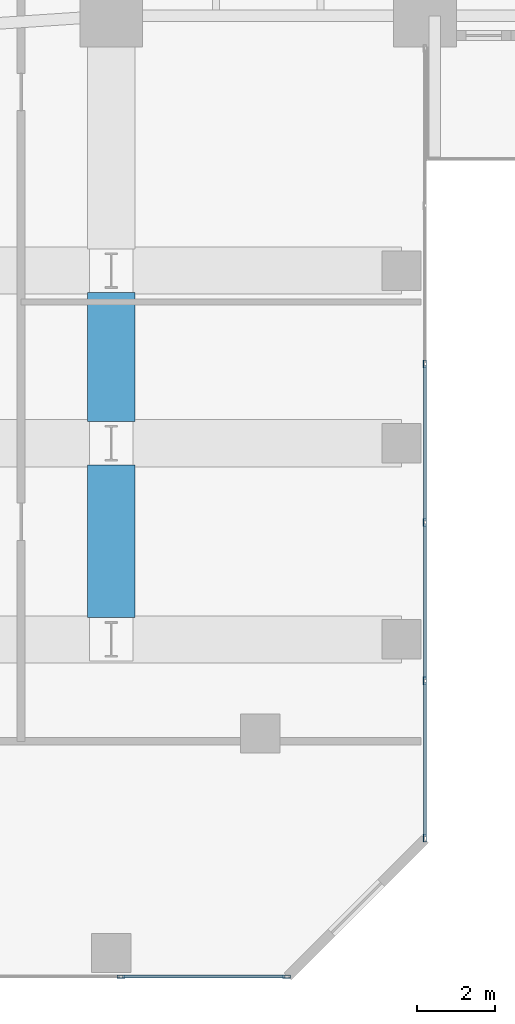
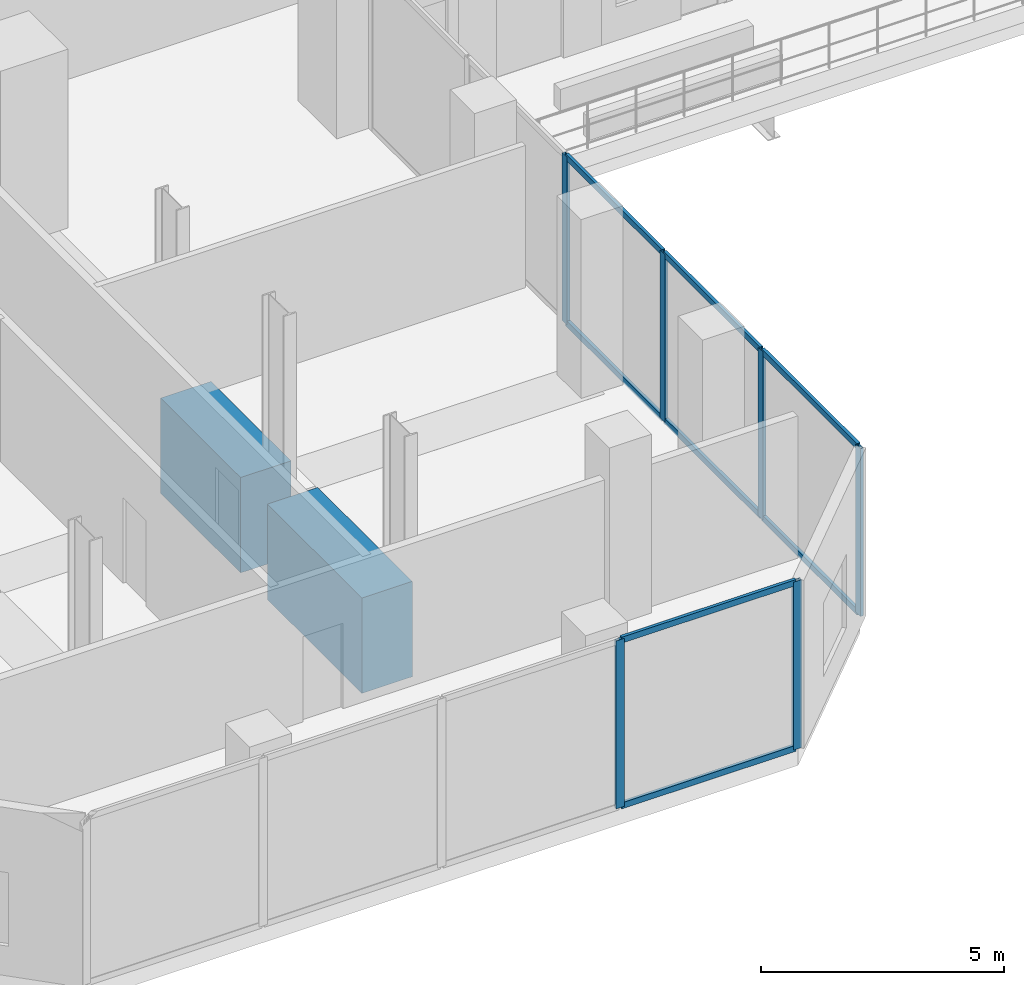
# One storey, part 5 of 24: 14 members, 2 beams, 2 elements without a shape of their own.
"""IFC4 building model written with IfcOpenShell, lengths in metres."""

import ifcopenshell
import ifcopenshell.guid

model = None  # the IFC model being written
_history = None  # IfcOwnerHistory: only IFC2X3 demands one
_inside = {}  # id of a spatial element -> (the spatial element, [elements in it])
_under = {}  # id of a project, library or spatial element -> (it, [spatial elements below it])
_declared = {}  # id of a project -> (the project, [libraries it declares])
_typed = {}  # id of a type object -> (the type object, [elements of that type])
_made_of = {}  # id of a material, layer set ... -> (it, [elements and type objects made of it])


def new_model(schema):
    """Start an empty IFC model of exactly this schema.

    Asked for "IFC4X3", IfcOpenShell would pick the latest addendum, in which some entities
    have other attributes; the version numbers below select the first issue.
    IFC2X3 requires an IfcOwnerHistory on every rooted entity: one is made here for all.
    """
    global model, _history
    if schema == "IFC4X3":
        model = ifcopenshell.file(schema_version=(4, 3, 0, 0))
    else:
        model = ifcopenshell.file(schema=schema)
    _inside.clear()
    _under.clear()
    _declared.clear()
    _typed.clear()
    _made_of.clear()
    _history = None
    if model.schema == "IFC2X3":
        org = make("IfcOrganization", Name="unknown")
        user = make(
            "IfcPersonAndOrganization",
            ThePerson=make("IfcPerson", FamilyName="unknown"),
            TheOrganization=org,
        )
        app = make(
            "IfcApplication",
            ApplicationDeveloper=org,
            Version="unknown",
            ApplicationFullName="unknown",
            ApplicationIdentifier="unknown",
        )
        _history = make(
            "IfcOwnerHistory",
            OwningUser=user,
            OwningApplication=app,
            ChangeAction="ADDED",
            CreationDate=0,
        )
    return model


def make(cls, **values):
    """One entity of the class cls with the attributes given. An attribute that is None is left unset."""
    return model.create_entity(
        cls, **{name: value for name, value in values.items() if value is not None}
    )


def rooted(cls, **values):
    """An entity with a GlobalId (a new one), such as an element, a storey or a relation."""
    return make(cls, GlobalId=ifcopenshell.guid.new(), OwnerHistory=_history, **values)


def si_unit(unit_type, name, prefix=None):
    """IfcSIUnit, for example si_unit("LENGTHUNIT", "METRE", prefix="MILLI")."""
    return make("IfcSIUnit", UnitType=unit_type, Prefix=prefix, Name=name)


def assignment(units):
    """IfcUnitAssignment: the units of a project."""
    return None if units is None else make("IfcUnitAssignment", Units=units)


def point(xyz):
    """IfcCartesianPoint."""
    return None if xyz is None else make("IfcCartesianPoint", Coordinates=xyz)


def direction(xyz):
    """IfcDirection."""
    return None if xyz is None else make("IfcDirection", DirectionRatios=xyz)


def frame(location, z_axis=None, x_axis=None):
    """IfcAxis2Placement3D, a coordinate frame: its origin and axes. An axis left out is left unset."""
    return make(
        "IfcAxis2Placement3D",
        Location=point(location),
        Axis=direction(z_axis),
        RefDirection=direction(x_axis),
    )


def frame_2d(location, x_axis=None):
    """IfcAxis2Placement2D, a coordinate frame in the plane: its origin and x axis."""
    return make(
        "IfcAxis2Placement2D", Location=point(location), RefDirection=direction(x_axis)
    )


def origin():
    """The frame at (0, 0, 0) with its axes left unset."""
    return frame((0.0, 0.0, 0.0))


def origin_2d():
    """The frame at (0, 0) in the plane with its x axis left unset."""
    return frame_2d((0.0, 0.0))


def place(relative_to, where):
    """IfcLocalPlacement: puts the frame where relative to a parent placement (None: the world)."""
    return make(
        "IfcLocalPlacement", PlacementRelTo=relative_to, RelativePlacement=where
    )


def context(
    kind, dimensions, precision=None, world=None, true_north=None, identifier=None
):
    """IfcGeometricRepresentationContext, for example the 3D "Model" context."""
    return make(
        "IfcGeometricRepresentationContext",
        ContextIdentifier=identifier,
        ContextType=kind,
        CoordinateSpaceDimension=dimensions,
        Precision=precision,
        WorldCoordinateSystem=world,
        TrueNorth=true_north,
    )


def subcontext(parent, identifier, kind, view, scale=None):
    """IfcGeometricRepresentationSubContext, for example "Body" below "Model"."""
    return make(
        "IfcGeometricRepresentationSubContext",
        ContextIdentifier=identifier,
        ContextType=kind,
        ParentContext=parent,
        TargetScale=scale,
        TargetView=view,
    )


def project(units=None, contexts=None):
    """IfcProject with its units and contexts."""
    return rooted(
        "IfcProject",
        Name="project",
        RepresentationContexts=contexts,
        UnitsInContext=assignment(units),
    )


def spatial(cls, under=None, at=None, **own):
    """A site, building, storey or space (cls), placed at a placement, below another one or the project."""
    s = rooted(cls, ObjectPlacement=at, **own)
    if under is not None:
        _under.setdefault(under.id(), (under, []))[1].append(s)
    return s


def profile(cls, at=None, kind="AREA", **sizes):
    """A parametric profile (cls). Its sizes go by their IFC names, for example OverallWidth=200.0."""
    return make(cls, ProfileType=kind, Position=at, **sizes)


def rectangle(**sizes):
    """IfcRectangleProfileDef."""
    return profile("IfcRectangleProfileDef", **sizes)


def hollow_rectangle(**sizes):
    """IfcRectangleHollowProfileDef."""
    return profile("IfcRectangleHollowProfileDef", **sizes)


def extrude(swept, where, along, depth):
    """IfcExtrudedAreaSolid: the profile swept, set in the frame where, extruded along a direction by depth."""
    return make(
        "IfcExtrudedAreaSolid",
        SweptArea=swept,
        Position=where,
        ExtrudedDirection=direction(along),
        Depth=depth,
    )


def shape(context_of_items, identifier, shape_type, items):
    """IfcShapeRepresentation: the items that make up one representation, for example the "Body"."""
    return make(
        "IfcShapeRepresentation",
        ContextOfItems=context_of_items,
        RepresentationIdentifier=identifier,
        RepresentationType=shape_type,
        Items=items,
    )


def material(Name=None, Category=None):
    """IfcMaterial."""
    return make("IfcMaterial", Name=Name, Category=Category)


def layer(
    of_material, thickness, ventilated=None, Name=None, Category=None, Priority=None
):
    """IfcMaterialLayer: one layer of a wall or slab, of a material (None: an air gap)."""
    return make(
        "IfcMaterialLayer",
        Material=of_material,
        LayerThickness=thickness,
        IsVentilated=ventilated,
        Name=Name,
        Category=Category,
        Priority=Priority,
    )


def layer_set(layers, Name=None):
    """IfcMaterialLayerSet."""
    return make("IfcMaterialLayerSet", MaterialLayers=layers, LayerSetName=Name)


def material_profile(
    of_material, cross_section, Name=None, Category=None, Priority=None
):
    """IfcMaterialProfile: a cross section and its material."""
    return make(
        "IfcMaterialProfile",
        Name=Name,
        Material=of_material,
        Profile=cross_section,
        Priority=Priority,
        Category=Category,
    )


def profile_set(profiles, Name=None, composite=None):
    """IfcMaterialProfileSet."""
    return make(
        "IfcMaterialProfileSet",
        Name=Name,
        MaterialProfiles=profiles,
        CompositeProfile=composite,
    )


def made_of(thing, what):
    """Note that an element or type object is made of a material, layer set ...; save() writes the relation."""
    if what is not None:
        _made_of.setdefault(what.id(), (what, []))[1].append(thing)
    return thing


def type_object(cls, material=None, **own):
    """A type object (cls), such as IfcWallType, which elements share."""
    return made_of(rooted(cls, **own), material)


def element(
    cls,
    number,
    at=None,
    inside=None,
    cuts=None,
    type_object=None,
    material=None,
    context=None,
    identifier="Body",
    shape_type=None,
    held_by="IfcProductDefinitionShape",
    body=None,
    shapes=None,
    **own,
):
    """One element of the class cls, such as IfcWall. Its Tag is "e" and its number.

    at: its placement. inside: the storey or other place that contains it. cuts: it is an
    opening in that element (IfcRelVoidsElement). A single representation is given by context,
    identifier, shape_type and body (its items); several are given by shapes. held_by: the class
    of the entity that holds the representations. save() writes the other relations.
    """
    e = rooted(cls, Tag="e%d" % number, ObjectPlacement=at, **own)
    if body is not None:
        shapes = [shape(context, identifier, shape_type, body)]
    if shapes is not None:
        e.Representation = make(held_by, Representations=shapes)
    if inside is not None:
        _inside.setdefault(inside.id(), (inside, []))[1].append(e)
    if cuts is not None:
        rooted(
            "IfcRelVoidsElement", RelatingBuildingElement=cuts, RelatedOpeningElement=e
        )
    if type_object is not None:
        _typed.setdefault(type_object.id(), (type_object, []))[1].append(e)
    return made_of(e, material)


def aggregate(whole, parts):
    """IfcRelAggregates: a whole, such as a stair, and the parts it consists of."""
    return rooted("IfcRelAggregates", RelatingObject=whole, RelatedObjects=parts)


def save(model, path):
    """Write the relations noted so far, then the file.

    IfcRelAggregates (storeys below a building ...), IfcRelContainedInSpatialStructure (elements
    in a storey), IfcRelDefinesByType, IfcRelAssociatesMaterial and IfcRelDeclares: one each for
    every whole, place, type object, material and project.
    """
    for whole, parts in _under.values():
        aggregate(whole, parts)
    for where, things in _inside.values():
        rooted(
            "IfcRelContainedInSpatialStructure",
            RelatedElements=things,
            RelatingStructure=where,
        )
    for kind, things in _typed.values():
        rooted("IfcRelDefinesByType", RelatedObjects=things, RelatingType=kind)
    for what, things in _made_of.values():
        rooted("IfcRelAssociatesMaterial", RelatedObjects=things, RelatingMaterial=what)
    for by, libraries in _declared.values():
        rooted("IfcRelDeclares", RelatingContext=by, RelatedDefinitions=libraries)
    model.write(path)


model = new_model("IFC4")

# Units and contexts
model_context = context("Model", 3, precision=1e-05, world=origin(), true_north=direction((0.0, 1.0)))
body_context = subcontext(model_context, "Body", "Model", "MODEL_VIEW")
ifc_project = project(units=[si_unit("LENGTHUNIT", "METRE"), si_unit("AREAUNIT", "SQUARE_METRE"), si_unit("VOLUMEUNIT", "CUBIC_METRE"), si_unit("PLANEANGLEUNIT", "RADIAN"), si_unit("MASSUNIT", "GRAM", prefix="KILO")], contexts=[model_context])

# Site, building, storey
site_placement = place(None, origin())
site = spatial("IfcSite", under=ifc_project, at=site_placement, CompositionType="ELEMENT")
building_placement = place(site_placement, origin())
building = spatial("IfcBuilding", under=site, at=building_placement, Name="Catumbela Crestline Tower", CompositionType="ELEMENT")
storey_placement = place(building_placement, frame((0.0, 0.0, 21.3)))
storey = spatial("IfcBuildingStorey", under=building, at=storey_placement, Name="L04", CompositionType="ELEMENT", Elevation=21.3)

# Beams
ifc_material_1 = material(Name="Concrete C60/75", Category="concrete")
ifc_material_profile_1 = material_profile(ifc_material_1, rectangle(XDim=1.2, YDim=2.4, at=origin_2d()), Name="RC 1200x2400")
ifc_profile_set_1 = profile_set([ifc_material_profile_1], Name="Concrete C60/75")
beam_type = type_object("IfcBeamType", Name="TG-2400", PredefinedType="BEAM", material=ifc_profile_set_1)
beam_1_placement = place(storey_placement, frame((16.0, 9.15, -1.2), z_axis=(0.0, 1.0, 0.0), x_axis=(-1.0, 0.0, 0.0)))
element("IfcBeam", 1, at=beam_1_placement, inside=storey, type_object=beam_type, Name="L04 Transfer Girder TG-L04-NS4", PredefinedType="BEAM", context=body_context, shape_type="SweptSolid", body=[
    extrude(rectangle(XDim=1.2, YDim=2.4, at=origin_2d()), origin(), (0.0, 0.0, 1.0), 3.9),
])
beam_2_placement = place(storey_placement, frame((16.0, 14.15, -1.2), z_axis=(0.0, 1.0, 0.0), x_axis=(-1.0, 0.0, 0.0)))
element("IfcBeam", 2, at=beam_2_placement, inside=storey, type_object=beam_type, Name="L04 Transfer Girder TG-L04-NS5", PredefinedType="BEAM", context=body_context, shape_type="SweptSolid", body=[
    extrude(rectangle(XDim=1.2, YDim=2.4, at=origin_2d()), origin(), (0.0, 0.0, 1.0), 3.3),
])

# Curtain wall, members
ifc_material_2 = material(Name="Aluminium alloy AW-6060-T66", Category="aluminium")
ifc_layer = layer(ifc_material_2, 0.18, Name="Aluminium alloy AW-6060-T66")
ifc_layer_set = layer_set([ifc_layer], Name="Aluminium alloy AW-6060-T66")
curtain_wall_type = type_object("IfcCurtainWallType", Name="CWS-POD", PredefinedType="USERDEFINED", material=ifc_layer_set)
curtain_wall_1_placement = place(storey_placement, origin())
curtain_wall_1 = element("IfcCurtainWall", 3, at=curtain_wall_1_placement, inside=storey, type_object=curtain_wall_type, Name="L04 Stick Curtain Wall CW-L04-E0S1", ObjectType="STICK", PredefinedType="USERDEFINED")
ifc_material_profile_2 = material_profile(ifc_material_2, hollow_rectangle(XDim=0.075, YDim=0.2, WallThickness=0.005, at=origin_2d()), Name="ALU 200x75x5")
ifc_profile_set_2 = profile_set([ifc_material_profile_2], Name="Aluminium alloy AW-6060-T66")
member_type_1 = type_object("IfcMemberType", Name="MUL-200X75", PredefinedType="MULLION", material=ifc_profile_set_2)
member_1_placement = place(storey_placement, frame((16.25, 0.0, 0.0), z_axis=(0.0, 0.0, 1.0), x_axis=(0.0, 1.0, 0.0)))
member_1 = element("IfcMember", 4, at=member_1_placement, type_object=member_type_1, Name="CWS-POD mullion 4", PredefinedType="MULLION", context=body_context, shape_type="SweptSolid", body=[
    extrude(hollow_rectangle(XDim=0.075, YDim=0.2, WallThickness=0.005, at=origin_2d()), origin(), (0.0, 0.0, 1.0), 4.23),
])
member_2_placement = place(storey_placement, frame((20.4675, 0.0, 0.0), z_axis=(0.0, 0.0, 1.0), x_axis=(0.0, 1.0, 0.0)))
member_2 = element("IfcMember", 5, at=member_2_placement, type_object=member_type_1, Name="CWS-POD mullion 5", PredefinedType="MULLION", context=body_context, shape_type="SweptSolid", body=[
    extrude(hollow_rectangle(XDim=0.075, YDim=0.2, WallThickness=0.005, at=origin_2d()), origin(), (0.0, 0.0, 1.0), 4.23),
])

curtain_wall_2_placement = place(storey_placement, origin())
curtain_wall_2 = element("IfcCurtainWall", 6, at=curtain_wall_2_placement, inside=storey, type_object=curtain_wall_type, Name="L04 Stick Curtain Wall CW-L04-E2S1", ObjectType="STICK", PredefinedType="USERDEFINED")
member_3_placement = place(storey_placement, frame((24.0, 3.5325, 0.0), z_axis=(0.0, 0.0, 1.0), x_axis=(-1.0, 0.0, 0.0)))
member_3 = element("IfcMember", 7, at=member_3_placement, type_object=member_type_1, Name="CWS-POD mullion 1", PredefinedType="MULLION", context=body_context, shape_type="SweptSolid", body=[
    extrude(hollow_rectangle(XDim=0.075, YDim=0.2, WallThickness=0.005, at=origin_2d()), origin(), (0.0, 0.0, 1.0), 4.23),
])
member_4_placement = place(storey_placement, frame((24.0, 7.54, 0.0), z_axis=(0.0, 0.0, 1.0), x_axis=(-1.0, 0.0, 0.0)))
member_4 = element("IfcMember", 8, at=member_4_placement, type_object=member_type_1, Name="CWS-POD mullion 2", PredefinedType="MULLION", context=body_context, shape_type="SweptSolid", body=[
    extrude(hollow_rectangle(XDim=0.075, YDim=0.2, WallThickness=0.005, at=origin_2d()), origin(), (0.0, 0.0, 1.0), 4.23),
])
member_5_placement = place(storey_placement, frame((24.0, 11.58, 0.0), z_axis=(0.0, 0.0, 1.0), x_axis=(-1.0, 0.0, 0.0)))
member_5 = element("IfcMember", 9, at=member_5_placement, type_object=member_type_1, Name="CWS-POD mullion 3", PredefinedType="MULLION", context=body_context, shape_type="SweptSolid", body=[
    extrude(hollow_rectangle(XDim=0.075, YDim=0.2, WallThickness=0.005, at=origin_2d()), origin(), (0.0, 0.0, 1.0), 4.23),
])
member_6_placement = place(storey_placement, frame((24.0, 15.62, 0.0), z_axis=(0.0, 0.0, 1.0), x_axis=(-1.0, 0.0, 0.0)))
member_6 = element("IfcMember", 10, at=member_6_placement, type_object=member_type_1, Name="CWS-POD mullion 4", PredefinedType="MULLION", context=body_context, shape_type="SweptSolid", body=[
    extrude(hollow_rectangle(XDim=0.075, YDim=0.2, WallThickness=0.005, at=origin_2d()), origin(), (0.0, 0.0, 1.0), 4.23),
])

# Member
ifc_material_profile_3 = material_profile(ifc_material_2, hollow_rectangle(XDim=0.075, YDim=0.15, WallThickness=0.0045, at=origin_2d()), Name="ALU 150x75x4.5")
ifc_profile_set_3 = profile_set([ifc_material_profile_3], Name="Aluminium alloy AW-6060-T66")
member_type_2 = type_object("IfcMemberType", Name="TRN-150X75", PredefinedType="USERDEFINED", material=ifc_profile_set_3)
member_7_placement = place(storey_placement, frame((16.2825, 0.0, 0.03), z_axis=(1.0, 0.0, 0.0), x_axis=(0.0, 1.0, 0.0)))
member_7 = element("IfcMember", 11, at=member_7_placement, type_object=member_type_2, Name="CWS-POD transom 4.1", ObjectType="TRANSOM", PredefinedType="USERDEFINED", context=body_context, shape_type="SweptSolid", body=[
    extrude(hollow_rectangle(XDim=0.075, YDim=0.15, WallThickness=0.0045, at=origin_2d()), origin(), (0.0, 0.0, 1.0), 4.1525),
])

member_8_placement = place(storey_placement, frame((16.2825, 0.0, 4.2), z_axis=(1.0, 0.0, 0.0), x_axis=(0.0, 1.0, 0.0)))
member_8 = element("IfcMember", 12, at=member_8_placement, type_object=member_type_2, Name="CWS-POD transom 4.2", ObjectType="TRANSOM", PredefinedType="USERDEFINED", context=body_context, shape_type="SweptSolid", body=[
    extrude(hollow_rectangle(XDim=0.075, YDim=0.15, WallThickness=0.0045, at=origin_2d()), origin(), (0.0, 0.0, 1.0), 4.1525),
])

aggregate(curtain_wall_1, [member_1, member_2, member_7, member_8])

member_9_placement = place(storey_placement, frame((24.0, 3.565, 0.03), z_axis=(0.0, 1.0, 0.0), x_axis=(-1.0, 0.0, 0.0)))
member_9 = element("IfcMember", 13, at=member_9_placement, type_object=member_type_2, Name="CWS-POD transom 1.1", ObjectType="TRANSOM", PredefinedType="USERDEFINED", context=body_context, shape_type="SweptSolid", body=[
    extrude(hollow_rectangle(XDim=0.075, YDim=0.15, WallThickness=0.0045, at=origin_2d()), origin(), (0.0, 0.0, 1.0), 3.9425),
])

member_10_placement = place(storey_placement, frame((24.0, 3.565, 4.2), z_axis=(0.0, 1.0, 0.0), x_axis=(-1.0, 0.0, 0.0)))
member_10 = element("IfcMember", 14, at=member_10_placement, type_object=member_type_2, Name="CWS-POD transom 1.2", ObjectType="TRANSOM", PredefinedType="USERDEFINED", context=body_context, shape_type="SweptSolid", body=[
    extrude(hollow_rectangle(XDim=0.075, YDim=0.15, WallThickness=0.0045, at=origin_2d()), origin(), (0.0, 0.0, 1.0), 3.9425),
])

member_11_placement = place(storey_placement, frame((24.0, 7.5725, 0.03), z_axis=(0.0, 1.0, 0.0), x_axis=(-1.0, 0.0, 0.0)))
member_11 = element("IfcMember", 15, at=member_11_placement, type_object=member_type_2, Name="CWS-POD transom 2.1", ObjectType="TRANSOM", PredefinedType="USERDEFINED", context=body_context, shape_type="SweptSolid", body=[
    extrude(hollow_rectangle(XDim=0.075, YDim=0.15, WallThickness=0.0045, at=origin_2d()), origin(), (0.0, 0.0, 1.0), 3.975),
])

member_12_placement = place(storey_placement, frame((24.0, 7.5725, 4.2), z_axis=(0.0, 1.0, 0.0), x_axis=(-1.0, 0.0, 0.0)))
member_12 = element("IfcMember", 16, at=member_12_placement, type_object=member_type_2, Name="CWS-POD transom 2.2", ObjectType="TRANSOM", PredefinedType="USERDEFINED", context=body_context, shape_type="SweptSolid", body=[
    extrude(hollow_rectangle(XDim=0.075, YDim=0.15, WallThickness=0.0045, at=origin_2d()), origin(), (0.0, 0.0, 1.0), 3.975),
])

member_13_placement = place(storey_placement, frame((24.0, 11.6125, 0.03), z_axis=(0.0, 1.0, 0.0), x_axis=(-1.0, 0.0, 0.0)))
member_13 = element("IfcMember", 17, at=member_13_placement, type_object=member_type_2, Name="CWS-POD transom 3.1", ObjectType="TRANSOM", PredefinedType="USERDEFINED", context=body_context, shape_type="SweptSolid", body=[
    extrude(hollow_rectangle(XDim=0.075, YDim=0.15, WallThickness=0.0045, at=origin_2d()), origin(), (0.0, 0.0, 1.0), 3.975),
])

member_14_placement = place(storey_placement, frame((24.0, 11.6125, 4.2), z_axis=(0.0, 1.0, 0.0), x_axis=(-1.0, 0.0, 0.0)))
member_14 = element("IfcMember", 18, at=member_14_placement, type_object=member_type_2, Name="CWS-POD transom 3.2", ObjectType="TRANSOM", PredefinedType="USERDEFINED", context=body_context, shape_type="SweptSolid", body=[
    extrude(hollow_rectangle(XDim=0.075, YDim=0.15, WallThickness=0.0045, at=origin_2d()), origin(), (0.0, 0.0, 1.0), 3.975),
])

aggregate(curtain_wall_2, [member_3, member_4, member_5, member_6, member_9, member_10, member_11, member_12, member_13, member_14])

save(model, "model.ifc")
